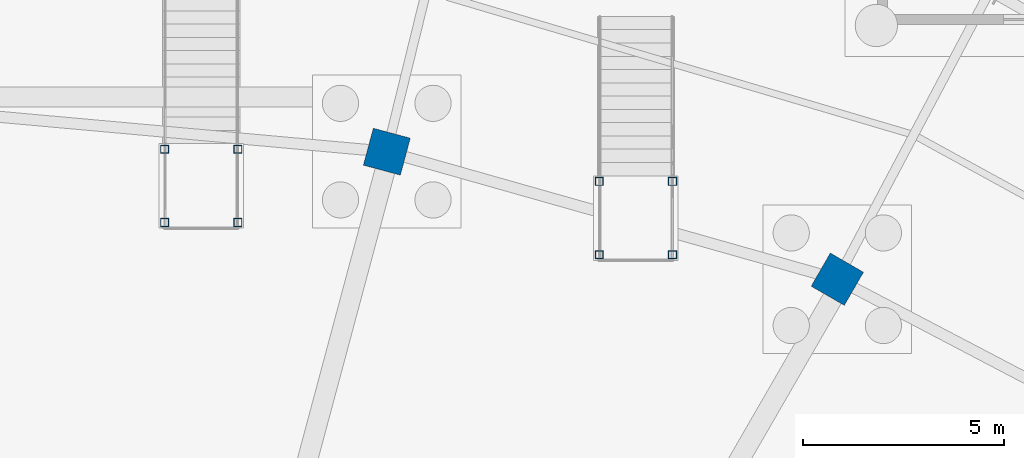
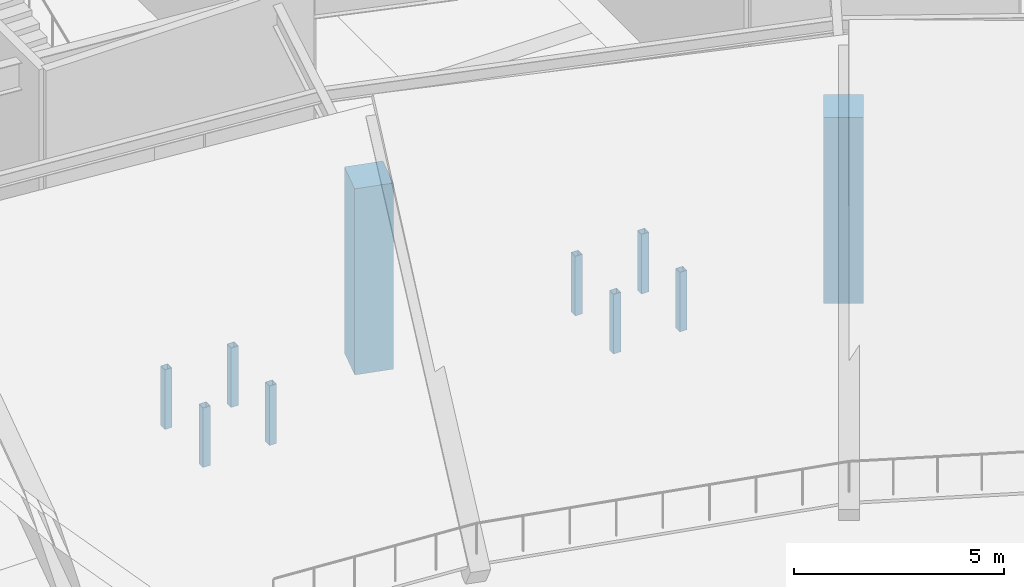
# One storey, part 23 of 93: 10 columns.
"""IFC4 building model written with IfcOpenShell, lengths in metres."""

from ifc_helpers import new_model, si_unit, direction, frame, origin, origin_2d, place, context, subcontext, project, spatial, rectangle, hollow_rectangle, extrude, material, material_profile, profile_set, type_object, element, save


model = new_model("IFC4")

# Units and contexts
model_context = context("Model", 3, precision=1e-05, world=origin(), true_north=direction((0.0, 1.0)))
body_context = subcontext(model_context, "Body", "Model", "MODEL_VIEW")
ifc_project = project(units=[si_unit("LENGTHUNIT", "METRE"), si_unit("AREAUNIT", "SQUARE_METRE"), si_unit("VOLUMEUNIT", "CUBIC_METRE"), si_unit("PLANEANGLEUNIT", "RADIAN"), si_unit("MASSUNIT", "GRAM", prefix="KILO")], contexts=[model_context])

# Site, building, storey
site_placement = place(None, origin())
site = spatial("IfcSite", under=ifc_project, at=site_placement, CompositionType="ELEMENT")
building_placement = place(site_placement, origin())
building = spatial("IfcBuilding", under=site, at=building_placement, Name="Kalgoora Escarpment Arena", CompositionType="ELEMENT")
storey_placement = place(building_placement, origin())
storey = spatial("IfcBuildingStorey", under=building, at=storey_placement, Name="L00", CompositionType="ELEMENT", Elevation=0.0)

# Columns
ifc_material_1 = material(Name="Concrete N50 (fc' 50 MPa)", Category="concrete")
ifc_material_profile_1 = material_profile(ifc_material_1, rectangle(XDim=0.949951171875, YDim=0.949951171875, at=origin_2d()))
ifc_profile_set_1 = profile_set([ifc_material_profile_1], Name="Concrete N50 (fc' 50 MPa)")
column_type_1 = type_object("IfcColumnType", Name="COL-COL-RC950x950", PredefinedType="COLUMN", material=ifc_profile_set_1)
for number, where, z_axis, x_axis, name in (
    (1, (115.60498046875, 91.47021484375, 0.0), (0.0, 0.0, 1.0), (0.5, 0.866025403784, 0.0), "L00 structural column COL-RMID-R05"),
    (2, (104.411865234375, 94.63916015625, 0.0), (0.0, 0.0, 1.0), (0.258819045103, 0.965925826289, 0.0), "L00 structural column COL-RMID-R06"),
):
    element("IfcColumn", number, at=place(storey_placement, frame(where, z_axis=z_axis, x_axis=x_axis)), inside=storey, type_object=column_type_1, Name=name, PredefinedType="COLUMN", context=body_context, shape_type="SweptSolid", body=[
        extrude(rectangle(XDim=0.949951171875, YDim=0.949951171875, at=origin_2d()), origin(), (0.0, 0.0, 1.0), 5.39990234375),
    ])
ifc_material_2 = material(Name="Structural steel C350 (350 MPa)", Category="steel")
ifc_material_profile_2 = material_profile(ifc_material_2, hollow_rectangle(XDim=0.199951171875, YDim=0.199951171875, WallThickness=0.009033203125, at=origin_2d()))
ifc_profile_set_2 = profile_set([ifc_material_profile_2], Name="Structural steel C350 (350 MPa)")
column_type_2 = type_object("IfcColumnType", Name="COL-VST-POST", PredefinedType="COLUMN", material=ifc_profile_set_2)
for number, where, z_axis, x_axis, name in (
    (3, (98.889892578125, 92.8798828125, 0.0), (0.0, 0.0, 1.0), (1.0, 0.0, 0.0), "Vomitory landing support post VST03-1"),
    (4, (100.7099609375, 92.8798828125, 0.0), (0.0, 0.0, 1.0), (1.0, 0.0, 0.0), "Vomitory landing support post VST03-2"),
    (5, (98.889892578125, 94.699951171875, 0.0), (0.0, 0.0, 1.0), (1.0, 0.0, 0.0), "Vomitory landing support post VST03-3"),
    (6, (100.7099609375, 94.699951171875, 0.0), (0.0, 0.0, 1.0), (1.0, 0.0, 0.0), "Vomitory landing support post VST03-4"),
    (7, (109.68994140625, 92.080078125, 0.0), (0.0, 0.0, 1.0), (1.0, 0.0, 0.0), "Vomitory landing support post VST04-1"),
    (8, (111.510009765625, 92.080078125, 0.0), (0.0, 0.0, 1.0), (1.0, 0.0, 0.0), "Vomitory landing support post VST04-2"),
    (9, (109.68994140625, 93.89990234375, 0.0), (0.0, 0.0, 1.0), (1.0, 0.0, 0.0), "Vomitory landing support post VST04-3"),
    (10, (111.510009765625, 93.89990234375, 0.0), (0.0, 0.0, 1.0), (1.0, 0.0, 0.0), "Vomitory landing support post VST04-4"),
):
    element("IfcColumn", number, at=place(storey_placement, frame(where, z_axis=z_axis, x_axis=x_axis)), inside=storey, type_object=column_type_2, Name=name, PredefinedType="COLUMN", context=body_context, shape_type="SweptSolid", body=[
        extrude(hollow_rectangle(XDim=0.199951171875, YDim=0.199951171875, WallThickness=0.009033203125, at=origin_2d()), origin(), (0.0, 0.0, 1.0), 1.72998046875),
    ])

save(model, "model.ifc")
